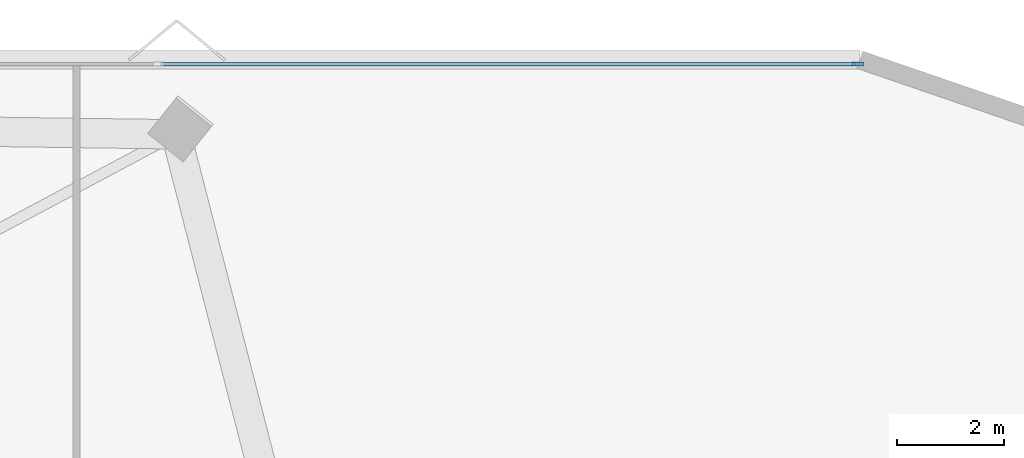
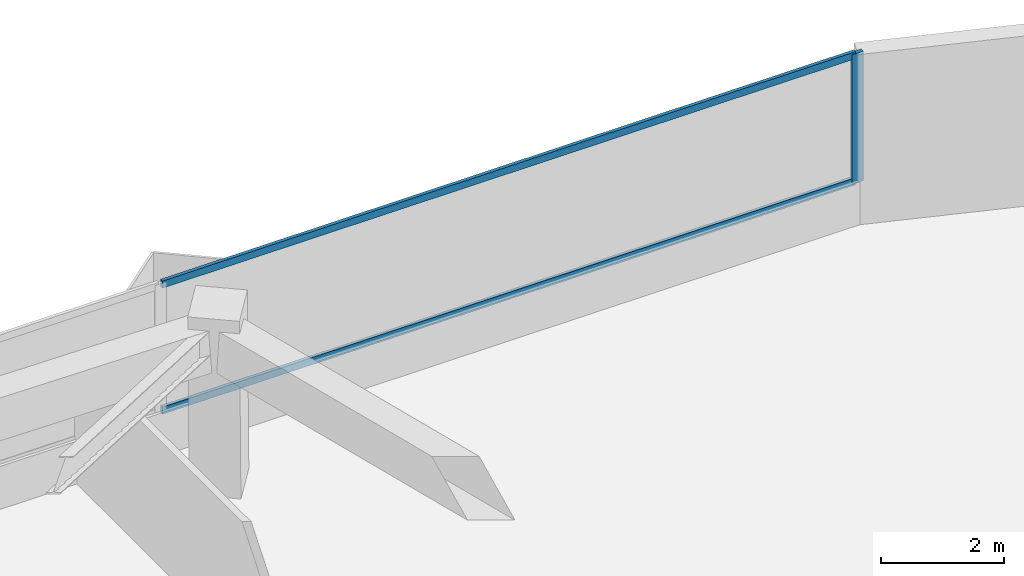
# One storey, part 9 of 14: 3 members, 1 element without a shape of its own.
"""IFC4 building model written with IfcOpenShell, lengths in metres."""

from ifc_helpers import new_model, si_unit, direction, frame, origin, origin_2d, place, context, subcontext, project, spatial, rectangle, extrude, material, layer, layer_set, material_profile, profile_set, type_object, element, aggregate, save


model = new_model("IFC4")

# Units and contexts
model_context = context("Model", 3, precision=1e-05, world=origin(), true_north=direction((0.0, 1.0)))
body_context = subcontext(model_context, "Body", "Model", "MODEL_VIEW")
ifc_project = project(units=[si_unit("LENGTHUNIT", "METRE"), si_unit("AREAUNIT", "SQUARE_METRE"), si_unit("VOLUMEUNIT", "CUBIC_METRE"), si_unit("PLANEANGLEUNIT", "RADIAN"), si_unit("MASSUNIT", "GRAM", prefix="KILO")], contexts=[model_context])

# Site, building, storey
site_placement = place(None, origin())
site = spatial("IfcSite", under=ifc_project, at=site_placement, CompositionType="ELEMENT")
building_placement = place(site_placement, origin())
building = spatial("IfcBuilding", under=site, at=building_placement, Name="Talyreon Biosciences Tower", CompositionType="ELEMENT")
storey_placement = place(building_placement, frame((0.0, 0.0, 96.89990234375)))
storey = spatial("IfcBuildingStorey", under=building, at=storey_placement, Name="L25", CompositionType="ELEMENT", Elevation=96.89990234375)

# Curtain wall, members
ifc_material_1 = material(Name="Thermally broken aluminium and low-E glazing", Category="aluminium")
ifc_layer = layer(ifc_material_1, 0.205078125)
ifc_layer_set = layer_set([ifc_layer], Name="Thermally broken aluminium and low-E glazing")
curtain_wall_type = type_object("IfcCurtainWallType", Name="CurtainWall_SkyGardenLoggia", PredefinedType="NOTDEFINED", material=ifc_layer_set)
curtain_wall_placement = place(storey_placement, origin())
curtain_wall = element("IfcCurtainWall", 1, at=curtain_wall_placement, inside=storey, type_object=curtain_wall_type, Name="L25 Unitised Curtain Wall FCW-L25-03", PredefinedType="NOTDEFINED")
ifc_material_2 = material(Name="Anodised thermally broken aluminium", Category="aluminium")
ifc_material_profile_1 = material_profile(ifc_material_2, rectangle(XDim=0.074951171875, YDim=0.2099609375, at=origin_2d()), Name="ALUM MULLION 75x210")
ifc_profile_set_1 = profile_set([ifc_material_profile_1], Name="Anodised thermally broken aluminium")
member_type_1 = type_object("IfcMemberType", Name="CWMullion_75x210", PredefinedType="MULLION", material=ifc_profile_set_1)
member_1_placement = place(storey_placement, frame((92.181884765625, 90.2734375, 0.81005859375), z_axis=(0.0, 0.0, 1.0), x_axis=(0.0, 1.0, 0.0)))
member_1 = element("IfcMember", 2, at=member_1_placement, type_object=member_type_1, Name="CW7 mullion 5", PredefinedType="MULLION", context=body_context, shape_type="SweptSolid", body=[
    extrude(rectangle(XDim=0.074951171875, YDim=0.2099609375, at=origin_2d()), origin(), (0.0, 0.0, 1.0), 2.56494140625),
])
ifc_material_profile_2 = material_profile(ifc_material_2, rectangle(XDim=0.06494140625, YDim=0.139892578125, at=origin_2d()), Name="ALUM TRANSOM 65x140")
ifc_profile_set_2 = profile_set([ifc_material_profile_2], Name="Anodised thermally broken aluminium")
member_type_2 = type_object("IfcMemberType", Name="CWTransom_65x140", PredefinedType="USERDEFINED", material=ifc_profile_set_2)
member_2_placement = place(storey_placement, frame((79.147216796875, 90.2734375, 0.842529296875), z_axis=(1.0, 0.0, 0.0), x_axis=(0.0, 1.0, 0.0)))
member_2 = element("IfcMember", 3, at=member_2_placement, type_object=member_type_2, Name="CW7 transom 4.1", ObjectType="TRANSOM", PredefinedType="USERDEFINED", context=body_context, shape_type="SweptSolid", body=[
    extrude(rectangle(XDim=0.06494140625, YDim=0.139892578125, at=origin_2d()), origin(), (0.0, 0.0, 1.0), 12.9970703125),
])
member_3_placement = place(storey_placement, frame((79.147216796875, 90.2734375, 3.342529296875), z_axis=(1.0, 0.0, 0.0), x_axis=(0.0, 1.0, 0.0)))
member_3 = element("IfcMember", 4, at=member_3_placement, type_object=member_type_2, Name="CW7 transom 4.2", ObjectType="TRANSOM", PredefinedType="USERDEFINED", context=body_context, shape_type="SweptSolid", body=[
    extrude(rectangle(XDim=0.06494140625, YDim=0.139892578125, at=origin_2d()), origin(), (0.0, 0.0, 1.0), 12.9970703125),
])
aggregate(curtain_wall, [member_1, member_2, member_3])

save(model, "model.ifc")
